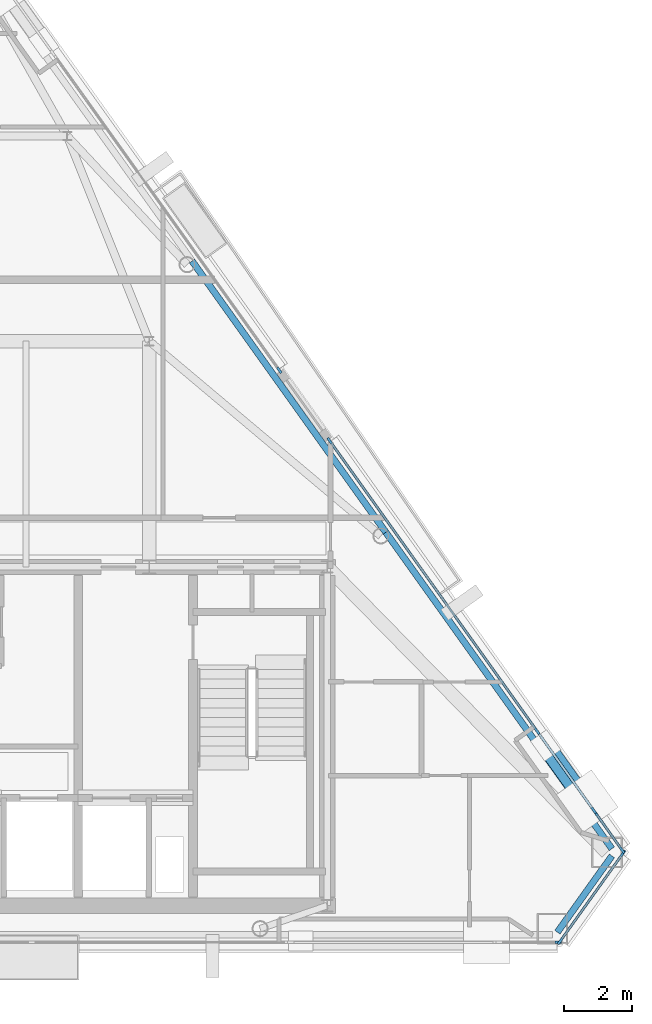
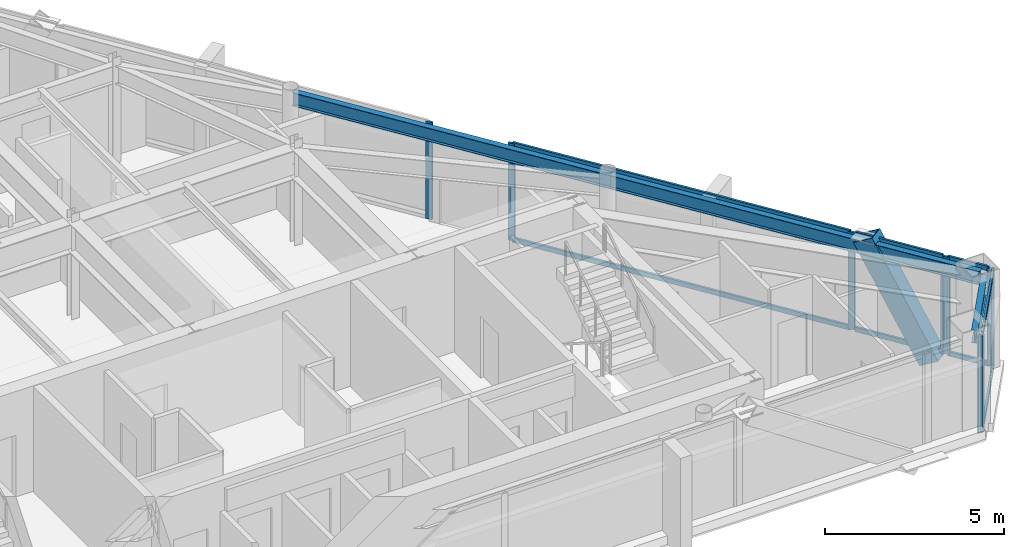
# One storey, part 6 of 12: 18 members, 3 beams, 6 elements without a shape of their own.
"""IFC4 building model written with IfcOpenShell, lengths in metres."""

from ifc_helpers import new_model, si_unit, direction, frame, origin, origin_2d, place, context, subcontext, project, spatial, rectangle, hollow_rectangle, i_section, extrude, material, layer, layer_set, material_profile, profile_set, type_object, element, aggregate, save


model = new_model("IFC4")

# Units and contexts
model_context = context("Model", 3, precision=1e-05, world=origin(), true_north=direction((0.0, 1.0)))
body_context = subcontext(model_context, "Body", "Model", "MODEL_VIEW")
ifc_project = project(units=[si_unit("LENGTHUNIT", "METRE"), si_unit("AREAUNIT", "SQUARE_METRE"), si_unit("VOLUMEUNIT", "CUBIC_METRE"), si_unit("PLANEANGLEUNIT", "RADIAN"), si_unit("MASSUNIT", "GRAM", prefix="KILO")], contexts=[model_context])

# Site, building, storey
site_placement = place(None, origin())
site = spatial("IfcSite", under=ifc_project, at=site_placement, CompositionType="ELEMENT")
building_placement = place(site_placement, origin())
building = spatial("IfcBuilding", under=site, at=building_placement, Name="Talgorran Terracotta Tower", CompositionType="ELEMENT")
storey_placement = place(building_placement, frame((0.0, 0.0, 281.39990234375)))
storey = spatial("IfcBuildingStorey", under=building, at=storey_placement, Name="L74", CompositionType="ELEMENT", Elevation=281.39990234375)

# Beams
ifc_material_1 = material(Name="Steel S355 (300PLUS)", Category="steel")
ifc_material_profile_1 = material_profile(ifc_material_1, i_section(OverallWidth=0.18994140625, OverallDepth=0.45703125, WebThickness=0.009033203125, FlangeThickness=0.014404296875, at=origin_2d()), Name="460UB74.6")
ifc_profile_set_1 = profile_set([ifc_material_profile_1], Name="Steel S355 (300PLUS)")
beam_type = type_object("IfcBeamType", Name="BM_SP_460UB74", PredefinedType="SPANDREL", material=ifc_profile_set_1)
beam_1_placement = place(storey_placement, frame((19.131103515625, -14.87890625, 3.091552734375), z_axis=(0.581322401873, 0.813673315945, 0.0), x_axis=(-0.813673315945, 0.581322401873, 0.0)))
element("IfcBeam", 1, at=beam_1_placement, inside=storey, type_object=beam_type, Name="L74 Perimeter Spandrel Beam MC3-MC4", PredefinedType="SPANDREL", context=body_context, shape_type="SweptSolid", body=[
    extrude(i_section(OverallWidth=0.18994140625, OverallDepth=0.45703125, WebThickness=0.009033203125, FlangeThickness=0.014404296875, at=origin_2d()), origin(), (0.0, 0.0, 1.0), 2.742431640625),
])
beam_2_placement = place(storey_placement, frame((20.725341796875, -12.438232421875, 3.091552734375), z_axis=(-0.581260538156, 0.813717510431, 0.0), x_axis=(-0.813717510431, -0.581260538156, 0.0)))
element("IfcBeam", 2, at=beam_2_placement, inside=storey, type_object=beam_type, Name="L74 Perimeter Spandrel Beam MC4-FC3", PredefinedType="SPANDREL", context=body_context, shape_type="SweptSolid", body=[
    extrude(i_section(OverallWidth=0.18994140625, OverallDepth=0.45703125, WebThickness=0.009033203125, FlangeThickness=0.014404296875, at=origin_2d()), origin(), (0.0, 0.0, 1.0), 11.369140625),
])
beam_3_placement = place(storey_placement, frame((14.116943359375, -3.18701171875, 3.091552734375), z_axis=(-0.58124293337, 0.813730085721, 0.0), x_axis=(-0.813730085721, -0.58124293337, 0.0)))
element("IfcBeam", 3, at=beam_3_placement, inside=storey, type_object=beam_type, Name="L74 Perimeter Spandrel Beam FC3-FC4", PredefinedType="SPANDREL", context=body_context, shape_type="SweptSolid", body=[
    extrude(i_section(OverallWidth=0.18994140625, OverallDepth=0.45703125, WebThickness=0.009033203125, FlangeThickness=0.014404296875, at=origin_2d()), origin(), (0.0, 0.0, 1.0), 9.7451171875),
])

# Member
ifc_material_2 = material(Name="Steel Grade 350 (350L0)", Category="steel")
ifc_material_profile_2 = material_profile(ifc_material_2, hollow_rectangle(XDim=0.52001953125, YDim=0.659912109375, WallThickness=0.034912109375, at=origin_2d()), Name="WBOX660X520X35")
ifc_profile_set_2 = profile_set([ifc_material_profile_2], Name="Steel Grade 350 (350L0)")
member_type_1 = type_object("IfcMemberType", Name="MB_MEGA_660", PredefinedType="BRACE", material=ifc_profile_set_2)
member_1_placement = place(storey_placement, frame((19.968505859375, -11.069091796875, -0.27490234375), z_axis=(-0.284338464388, 0.398038557823, 0.872190887453), x_axis=(-0.81370909617, -0.581272317258, 0.0)))
element("IfcMember", 4, at=member_1_placement, inside=storey, type_object=member_type_1, Name="L74 Exterior Face Mega-Brace MB-3 (NEL)", PredefinedType="BRACE", context=body_context, shape_type="SweptSolid", body=[
    extrude(hollow_rectangle(XDim=0.52001953125, YDim=0.659912109375, WallThickness=0.034912109375, at=origin_2d()), origin(), (0.0, 0.0, 1.0), 4.150634765625),
])

# Curtain wall, member
ifc_material_3 = material(Name="High-Wind Unitised Glazing", Category="glass")
ifc_layer = layer(ifc_material_3, 0.2099609375, Name="CW_SYS3_RES_HIGH")
ifc_layer_set = layer_set([ifc_layer], Name="High-Wind Unitised Glazing")
curtain_wall_type = type_object("IfcCurtainWallType", Name="CW_SYS3_RES_HIGH", PredefinedType="NOTDEFINED", material=ifc_layer_set)
curtain_wall_1_placement = place(storey_placement, origin())
curtain_wall_1 = element("IfcCurtainWall", 5, at=curtain_wall_1_placement, inside=storey, type_object=curtain_wall_type, Name="CW-L74-F1E", PredefinedType="NOTDEFINED")
ifc_material_4 = material(Name="Architectural Aluminium 6063-T6", Category="aluminium")
ifc_material_profile_3 = material_profile(ifc_material_4, rectangle(XDim=0.070068359375, YDim=0.199951171875, at=origin_2d()), Name="CWM70X200")
ifc_profile_set_3 = profile_set([ifc_material_profile_3], Name="Architectural Aluminium 6063-T6")
member_type_2 = type_object("IfcMemberType", Name="MUL_70X200", PredefinedType="MULLION", material=ifc_profile_set_3)
member_2_placement = place(storey_placement, frame((19.155517578125, -15.17431640625, 0.0), z_axis=(0.0, 0.0, 1.0), x_axis=(0.0, 1.0, 0.0)))
member_2 = element("IfcMember", 6, at=member_2_placement, type_object=member_type_2, Name="CW-L74-1E mullion 2", PredefinedType="MULLION", context=body_context, shape_type="SweptSolid", body=[
    extrude(rectangle(XDim=0.070068359375, YDim=0.199951171875, at=origin_2d()), origin(), (0.0, 0.0, 1.0), 3.320068359375),
])
aggregate(curtain_wall_1, [member_2])

# Curtain wall, members
curtain_wall_2_placement = place(storey_placement, origin())
curtain_wall_2 = element("IfcCurtainWall", 7, at=curtain_wall_2_placement, inside=storey, type_object=curtain_wall_type, Name="CW-L74-F2", PredefinedType="NOTDEFINED")
member_3_placement = place(storey_placement, frame((19.2109375, -15.14599609375, 0.0), z_axis=(0.0, 0.0, 1.0), x_axis=(-0.813720935413, 0.58125574343, 0.0)))
member_3 = element("IfcMember", 8, at=member_3_placement, type_object=member_type_2, Name="CW-L74-2 mullion 1", PredefinedType="MULLION", context=body_context, shape_type="SweptSolid", body=[
    extrude(rectangle(XDim=0.070068359375, YDim=0.199951171875, at=origin_2d()), origin(), (0.0, 0.0, 1.0), 3.320068359375),
])
member_4_placement = place(storey_placement, frame((21.050048828125, -12.5712890625, 0.0), z_axis=(0.0, 0.0, 1.0), x_axis=(-0.813720935413, 0.58125574343, 0.0)))
member_4 = element("IfcMember", 9, at=member_4_placement, type_object=member_type_2, Name="CW-L74-2 mullion 2", PredefinedType="MULLION", context=body_context, shape_type="SweptSolid", body=[
    extrude(rectangle(XDim=0.070068359375, YDim=0.199951171875, at=origin_2d()), origin(), (0.0, 0.0, 1.0), 3.320068359375),
])

curtain_wall_3_placement = place(storey_placement, origin())
curtain_wall_3 = element("IfcCurtainWall", 10, at=curtain_wall_3_placement, inside=storey, type_object=curtain_wall_type, Name="CW-L74-F40", PredefinedType="NOTDEFINED")
member_5_placement = place(storey_placement, frame((21.026611328125, -12.48193359375, 0.0), z_axis=(0.0, 0.0, 1.0), x_axis=(-0.81372395711, -0.581251513224, 0.0)))
member_5 = element("IfcMember", 11, at=member_5_placement, type_object=member_type_2, Name="CW-L74-40 mullion 1", PredefinedType="MULLION", context=body_context, shape_type="SweptSolid", body=[
    extrude(rectangle(XDim=0.070068359375, YDim=0.199951171875, at=origin_2d()), origin(), (0.0, 0.0, 1.0), 3.320068359375),
])
member_6_placement = place(storey_placement, frame((20.24169921875, -11.383056640625, 0.0), z_axis=(0.0, 0.0, 1.0), x_axis=(-0.81372395711, -0.581251513224, 0.0)))
member_6 = element("IfcMember", 12, at=member_6_placement, type_object=member_type_2, Name="CW-L74-40 mullion 2", PredefinedType="MULLION", context=body_context, shape_type="SweptSolid", body=[
    extrude(rectangle(XDim=0.070068359375, YDim=0.199951171875, at=origin_2d()), origin(), (0.0, 0.0, 1.0), 3.320068359375),
])

# Curtain wall, member
curtain_wall_4_placement = place(storey_placement, origin())
curtain_wall_4 = element("IfcCurtainWall", 13, at=curtain_wall_4_placement, inside=storey, type_object=curtain_wall_type, Name="CW-L74-F40B", PredefinedType="NOTDEFINED")
member_7_placement = place(storey_placement, frame((20.1953125, -11.31787109375, 0.0), z_axis=(0.0, 0.0, 1.0), x_axis=(-0.813731085665, -0.581241533463, 0.0)))
member_7 = element("IfcMember", 14, at=member_7_placement, type_object=member_type_2, Name="CW-L74-40B mullion 1", PredefinedType="MULLION", context=body_context, shape_type="SweptSolid", body=[
    extrude(rectangle(XDim=0.070068359375, YDim=0.199951171875, at=origin_2d()), origin(), (0.0, 0.0, 1.0), 3.320068359375),
])

# Curtain wall, members
curtain_wall_5_placement = place(storey_placement, origin())
curtain_wall_5 = element("IfcCurtainWall", 15, at=curtain_wall_5_placement, inside=storey, type_object=curtain_wall_type, Name="CW-L74-F40C", PredefinedType="NOTDEFINED")
member_8_placement = place(storey_placement, frame((18.543212890625, -9.005126953125, 0.0), z_axis=(0.0, 0.0, 1.0), x_axis=(-0.813725758591, -0.58124899123, 0.0)))
member_8 = element("IfcMember", 16, at=member_8_placement, type_object=member_type_2, Name="CW-L74-40C mullion 1", PredefinedType="MULLION", context=body_context, shape_type="SweptSolid", body=[
    extrude(rectangle(XDim=0.070068359375, YDim=0.199951171875, at=origin_2d()), origin(), (0.0, 0.0, 1.0), 3.320068359375),
])
member_9_placement = place(storey_placement, frame((12.47314453125, -0.50732421875, 0.0), z_axis=(0.0, 0.0, 1.0), x_axis=(-0.813725758591, -0.58124899123, 0.0)))
member_9 = element("IfcMember", 17, at=member_9_placement, type_object=member_type_2, Name="CW-L74-40C mullion 2", PredefinedType="MULLION", context=body_context, shape_type="SweptSolid", body=[
    extrude(rectangle(XDim=0.070068359375, YDim=0.199951171875, at=origin_2d()), origin(), (0.0, 0.0, 1.0), 3.320068359375),
])

# Curtain wall, member
curtain_wall_6_placement = place(storey_placement, origin())
curtain_wall_6 = element("IfcCurtainWall", 18, at=curtain_wall_6_placement, inside=storey, type_object=curtain_wall_type, Name="CW-L74-F41", PredefinedType="NOTDEFINED")
member_10_placement = place(storey_placement, frame((11.002685546875, 1.55126953125, 0.0), z_axis=(0.0, 0.0, 1.0), x_axis=(-0.813726348962, -0.581248164733, 0.0)))
member_10 = element("IfcMember", 19, at=member_10_placement, type_object=member_type_2, Name="CW-L74-41 mullion 1", PredefinedType="MULLION", context=body_context, shape_type="SweptSolid", body=[
    extrude(rectangle(XDim=0.070068359375, YDim=0.199951171875, at=origin_2d()), origin(), (0.0, 0.0, 1.0), 3.320068359375),
])
aggregate(curtain_wall_6, [member_10])

# Member
ifc_material_profile_4 = material_profile(ifc_material_4, rectangle(XDim=0.070068359375, YDim=0.159912109375, at=origin_2d()), Name="CWT70X160")
ifc_profile_set_4 = profile_set([ifc_material_profile_4], Name="Architectural Aluminium 6063-T6")
member_type_3 = type_object("IfcMemberType", Name="TRN_70X160", PredefinedType="USERDEFINED", material=ifc_profile_set_4)
member_11_placement = place(storey_placement, frame((19.231201171875, -15.117431640625, 0.03515625), z_axis=(0.581253122593, 0.813722807518, 0.0), x_axis=(-0.813722807518, 0.581253122593, 0.0)))
member_11 = element("IfcMember", 20, at=member_11_placement, type_object=member_type_3, Name="CW-L74-2 transom 1.1", ObjectType="TRANSOM", PredefinedType="USERDEFINED", context=body_context, shape_type="SweptSolid", body=[
    extrude(rectangle(XDim=0.070068359375, YDim=0.159912109375, at=origin_2d()), origin(), (0.0, 0.0, 1.0), 3.093994140625),
])

member_12_placement = place(storey_placement, frame((19.231201171875, -15.117431640625, 3.28515625), z_axis=(0.581253122593, 0.813722807518, 0.0), x_axis=(-0.813722807518, 0.581253122593, 0.0)))
member_12 = element("IfcMember", 21, at=member_12_placement, type_object=member_type_3, Name="CW-L74-2 transom 1.2", ObjectType="TRANSOM", PredefinedType="USERDEFINED", context=body_context, shape_type="SweptSolid", body=[
    extrude(rectangle(XDim=0.070068359375, YDim=0.159912109375, at=origin_2d()), origin(), (0.0, 0.0, 1.0), 3.093994140625),
])

aggregate(curtain_wall_2, [member_3, member_4, member_11, member_12])

member_13_placement = place(storey_placement, frame((21.00634765625, -12.453369140625, 0.03515625), z_axis=(-0.581166045547, 0.813785000785, 0.0), x_axis=(-0.813785000785, -0.581166045547, 0.0)))
member_13 = element("IfcMember", 22, at=member_13_placement, type_object=member_type_3, Name="CW-L74-40 transom 1.1", ObjectType="TRANSOM", PredefinedType="USERDEFINED", context=body_context, shape_type="SweptSolid", body=[
    extrude(rectangle(XDim=0.070068359375, YDim=0.159912109375, at=origin_2d()), origin(), (0.0, 0.0, 1.0), 1.280517578125),
])

member_14_placement = place(storey_placement, frame((21.00634765625, -12.453369140625, 3.28515625), z_axis=(-0.581166045547, 0.813785000785, 0.0), x_axis=(-0.813785000785, -0.581166045547, 0.0)))
member_14 = element("IfcMember", 23, at=member_14_placement, type_object=member_type_3, Name="CW-L74-40 transom 1.2", ObjectType="TRANSOM", PredefinedType="USERDEFINED", context=body_context, shape_type="SweptSolid", body=[
    extrude(rectangle(XDim=0.070068359375, YDim=0.159912109375, at=origin_2d()), origin(), (0.0, 0.0, 1.0), 1.280517578125),
])

aggregate(curtain_wall_3, [member_5, member_6, member_13, member_14])

member_15_placement = place(storey_placement, frame((20.1748046875, -11.28955078125, 0.03515625), z_axis=(-0.581178146236, 0.81377635892, 0.0), x_axis=(-0.81377635892, -0.581178146236, 0.0)))
member_15 = element("IfcMember", 24, at=member_15_placement, type_object=member_type_3, Name="CW-L74-40B transom 1.1", ObjectType="TRANSOM", PredefinedType="USERDEFINED", context=body_context, shape_type="SweptSolid", body=[
    extrude(rectangle(XDim=0.070068359375, YDim=0.159912109375, at=origin_2d()), origin(), (0.0, 0.0, 1.0), 2.6923828125),
])

member_16_placement = place(storey_placement, frame((20.1748046875, -11.28955078125, 3.28515625), z_axis=(-0.581178146236, 0.81377635892, 0.0), x_axis=(-0.81377635892, -0.581178146236, 0.0)))
member_16 = element("IfcMember", 25, at=member_16_placement, type_object=member_type_3, Name="CW-L74-40B transom 1.2", ObjectType="TRANSOM", PredefinedType="USERDEFINED", context=body_context, shape_type="SweptSolid", body=[
    extrude(rectangle(XDim=0.070068359375, YDim=0.159912109375, at=origin_2d()), origin(), (0.0, 0.0, 1.0), 2.6923828125),
])

aggregate(curtain_wall_4, [member_7, member_15, member_16])

member_17_placement = place(storey_placement, frame((18.522705078125, -8.9765625, 0.03515625), z_axis=(-0.581238193719, 0.813733471207, 0.0), x_axis=(-0.813733471207, -0.581238193719, 0.0)))
member_17 = element("IfcMember", 26, at=member_17_placement, type_object=member_type_3, Name="CW-L74-40C transom 1.1", ObjectType="TRANSOM", PredefinedType="USERDEFINED", context=body_context, shape_type="SweptSolid", body=[
    extrude(rectangle(XDim=0.070068359375, YDim=0.159912109375, at=origin_2d()), origin(), (0.0, 0.0, 1.0), 10.372802734375),
])

member_18_placement = place(storey_placement, frame((18.522705078125, -8.9765625, 3.28515625), z_axis=(-0.581238193719, 0.813733471207, 0.0), x_axis=(-0.813733471207, -0.581238193719, 0.0)))
member_18 = element("IfcMember", 27, at=member_18_placement, type_object=member_type_3, Name="CW-L74-40C transom 1.2", ObjectType="TRANSOM", PredefinedType="USERDEFINED", context=body_context, shape_type="SweptSolid", body=[
    extrude(rectangle(XDim=0.070068359375, YDim=0.159912109375, at=origin_2d()), origin(), (0.0, 0.0, 1.0), 10.372802734375),
])

aggregate(curtain_wall_5, [member_8, member_9, member_17, member_18])

save(model, "model.ifc")
